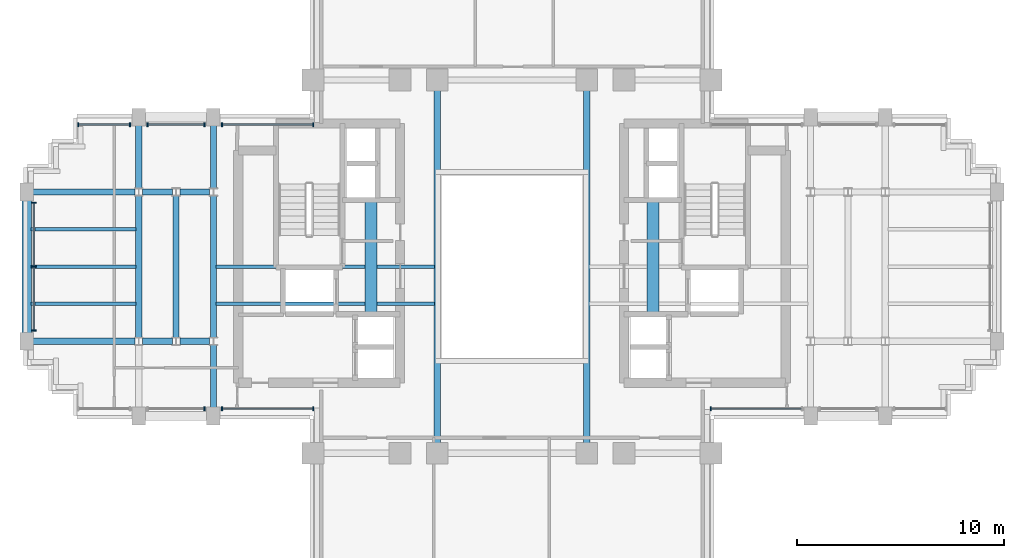
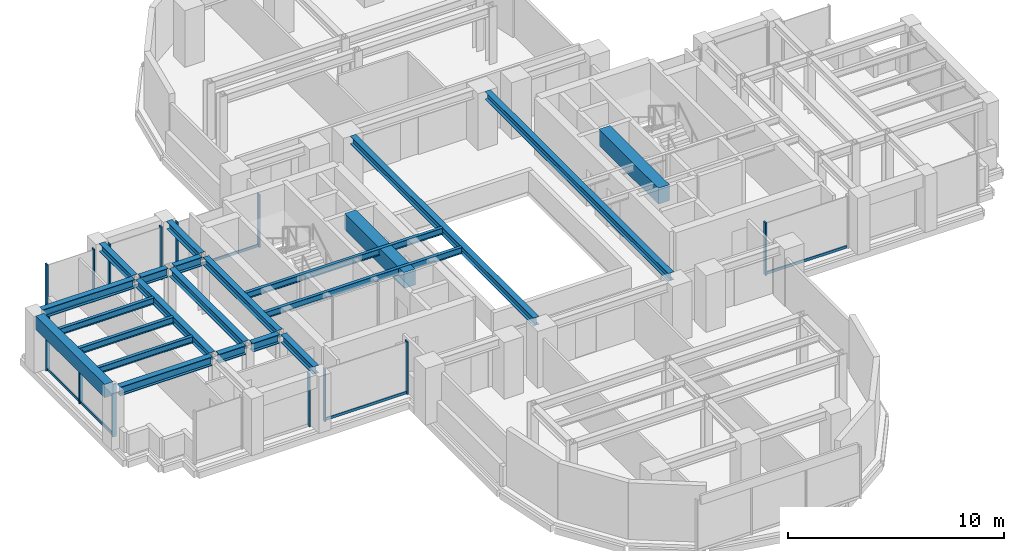
# One storey, part 4 of 13: 22 beams, 20 members, 7 elements without a shape of their own.
"""IFC4 building model written with IfcOpenShell, lengths in metres."""

from ifc_helpers import new_model, si_unit, direction, frame, origin, origin_2d, place, context, subcontext, project, spatial, rectangle, i_section, extrude, source, transform, mapped, material, material_profile, profile_set, type_object, element, aggregate, save


model = new_model("IFC4")

# Units and contexts
model_context = context("Model", 3, precision=1e-05, world=origin(), true_north=direction((0.0, 1.0)))
body_context = subcontext(model_context, "Body", "Model", "MODEL_VIEW")
ifc_project = project(units=[si_unit("LENGTHUNIT", "METRE"), si_unit("AREAUNIT", "SQUARE_METRE"), si_unit("VOLUMEUNIT", "CUBIC_METRE"), si_unit("PLANEANGLEUNIT", "RADIAN"), si_unit("MASSUNIT", "GRAM", prefix="KILO")], contexts=[model_context])

# Site, building, storey
site_placement = place(None, origin())
site = spatial("IfcSite", under=ifc_project, at=site_placement, CompositionType="ELEMENT")
building_placement = place(site_placement, origin())
building = spatial("IfcBuilding", under=site, at=building_placement, Name="Keilestroom Media Tower", CompositionType="ELEMENT")
storey_placement = place(building_placement, frame((0.0, 0.0, 144.800048828125)))
storey = spatial("IfcBuildingStorey", under=building, at=storey_placement, Name="L39", CompositionType="ELEMENT", Elevation=144.800048828125)

# Beams
ifc_material_1 = material(Name="Concrete C70/85", Category="concrete")
ifc_material_profile_1 = material_profile(ifc_material_1, rectangle(XDim=0.60009765625, YDim=0.89990234375, at=origin_2d()), Name="RC 600x900")
ifc_profile_set_1 = profile_set([ifc_material_profile_1], Name="Concrete C70/85")
beam_type_1 = type_object("IfcBeamType", Name="Core-Coupling-Lintel-Beam-RC-600x900", PredefinedType="LINTEL", material=ifc_profile_set_1)
shared_shape_1 = source(origin(), body_context, "Body", "SweptSolid", [
    extrude(rectangle(XDim=0.60009765625, YDim=0.89990234375, at=origin_2d()), origin(), (0.0, 0.0, 1.0), 5.52001953125),
])
for number, where, z_axis, x_axis, name in (
    (1, (-6.800048828125, -2.300048828125, 2.75), (0.0, 1.0, 0.0), (-1.0, 0.0, 0.0), "L39 Beam CLB-1 CLB-L39-W"),
    (2, (6.800048828125, -2.300048828125, 2.75), (0.0, 1.0, 0.0), (-1.0, 0.0, 0.0), "L39 Beam CLB-1 CLB-L39-E"),
):
    element("IfcBeam", number, at=place(storey_placement, frame(where, z_axis=z_axis, x_axis=x_axis)), inside=storey, type_object=beam_type_1, Name=name, PredefinedType="LINTEL", context=body_context, shape_type="MappedRepresentation", body=[
        mapped(shared_shape_1, transform((0.0, 0.0, 0.0), x_axis=(1.0, 0.0, 0.0), y_axis=(0.0, 1.0, 0.0), z_axis=(0.0, 0.0, 1.0), scale=1.0)),
    ])
ifc_material_2 = material(Name="Steel S355", Category="steel")
ifc_material_profile_2 = material_profile(ifc_material_2, i_section(OverallWidth=0.169921875, OverallDepth=0.360107421875, WebThickness=0.008056640625, FlangeThickness=0.0126953125, at=origin_2d()), Name="IPE 360")
ifc_profile_set_2 = profile_set([ifc_material_profile_2], Name="Steel S355")
beam_type_2 = type_object("IfcBeamType", Name="Secondary-Floor-Joist-IPE-360", PredefinedType="JOIST", material=ifc_profile_set_2)
shared_shape_2 = source(origin(), body_context, "Body", "SweptSolid", [
    extrude(i_section(OverallWidth=0.169921875, OverallDepth=0.360107421875, WebThickness=0.008056640625, FlangeThickness=0.0126953125, at=origin_2d()), origin(), (0.0, 0.0, 1.0), 10.5400390625),
])
for number, where, z_axis, x_axis, name in (
    (3, (-14.27001953125, -1.800048828125, 3.02001953125), (1.0, 0.0, 0.0), (0.0, 1.0, 0.0), "L39 Beam BJ-5 JST-L39-072"),
    (4, (-14.27001953125, 0.0, 3.02001953125), (1.0, 0.0, 0.0), (0.0, 1.0, 0.0), "L39 Beam BJ-5 JST-L39-077"),
):
    element("IfcBeam", number, at=place(storey_placement, frame(where, z_axis=z_axis, x_axis=x_axis)), inside=storey, type_object=beam_type_2, Name=name, PredefinedType="JOIST", context=body_context, shape_type="MappedRepresentation", body=[
        mapped(shared_shape_2, transform((0.0, 0.0, 0.0), x_axis=(1.0, 0.0, 0.0), y_axis=(0.0, 1.0, 0.0), z_axis=(0.0, 0.0, 1.0), scale=1.0)),
    ])
ifc_material_profile_3 = material_profile(ifc_material_2, i_section(OverallWidth=0.300048828125, OverallDepth=0.5, WebThickness=0.012451171875, FlangeThickness=0.028076171875, at=origin_2d()), Name="HEB 500")
ifc_profile_set_3 = profile_set([ifc_material_profile_3], Name="Steel S355")
beam_type_3 = type_object("IfcBeamType", Name="Primary-Structural-Girder-HEB-500", PredefinedType="BEAM", material=ifc_profile_set_3)
shared_shape_3 = source(origin(), body_context, "Body", "SweptSolid", [
    extrude(i_section(OverallWidth=0.300048828125, OverallDepth=0.5, WebThickness=0.012451171875, FlangeThickness=0.028076171875, at=origin_2d()), origin(), (0.0, 0.0, 1.0), 4.91455078125),
])
for number, where, z_axis, x_axis, name in (
    (5, (-23.094970703125, -3.60009765625, 2.949951171875), (1.0, 0.0, 0.0), (0.0, 1.0, 0.0), "L39 Beam BG-6 BM-L39-EW-014"),
    (6, (-23.094970703125, 3.60009765625, 2.949951171875), (1.0, 0.0, 0.0), (0.0, 1.0, 0.0), "L39 Beam BG-6 BM-L39-EW-020"),
):
    element("IfcBeam", number, at=place(storey_placement, frame(where, z_axis=z_axis, x_axis=x_axis)), inside=storey, type_object=beam_type_3, Name=name, PredefinedType="BEAM", context=body_context, shape_type="MappedRepresentation", body=[
        mapped(shared_shape_3, transform((0.0, 0.0, 0.0), x_axis=(1.0, 0.0, 0.0), y_axis=(0.0, 1.0, 0.0), z_axis=(0.0, 0.0, 1.0), scale=1.0)),
    ])
shared_shape_4 = source(origin(), body_context, "Body", "SweptSolid", [
    extrude(i_section(OverallWidth=0.300048828125, OverallDepth=0.5, WebThickness=0.012451171875, FlangeThickness=0.028076171875, at=origin_2d()), origin(), (0.0, 0.0, 1.0), 1.43896484375),
])
for number, where, z_axis, x_axis, name in (
    (7, (-17.819580078125, -3.60009765625, 2.949951171875), (1.0, 0.0, 0.0), (0.0, 1.0, 0.0), "L39 Beam BG-6 BM-L39-EW-015"),
    (8, (-16.01953125, -3.60009765625, 2.949951171875), (1.0, 0.0, 0.0), (0.0, 1.0, 0.0), "L39 Beam BG-6 BM-L39-EW-016"),
    (9, (-17.819580078125, 3.60009765625, 2.949951171875), (1.0, 0.0, 0.0), (0.0, 1.0, 0.0), "L39 Beam BG-6 BM-L39-EW-021"),
    (10, (-16.01953125, 3.60009765625, 2.949951171875), (1.0, 0.0, 0.0), (0.0, 1.0, 0.0), "L39 Beam BG-6 BM-L39-EW-022"),
):
    element("IfcBeam", number, at=place(storey_placement, frame(where, z_axis=z_axis, x_axis=x_axis)), inside=storey, type_object=beam_type_3, Name=name, PredefinedType="BEAM", context=body_context, shape_type="MappedRepresentation", body=[
        mapped(shared_shape_4, transform((0.0, 0.0, 0.0), x_axis=(1.0, 0.0, 0.0), y_axis=(0.0, 1.0, 0.0), z_axis=(0.0, 0.0, 1.0), scale=1.0)),
    ])
ifc_material_3 = material(Name="Precast concrete C40/50", Category="concrete")
ifc_material_profile_4 = material_profile(ifc_material_3, rectangle(XDim=0.449951171875, YDim=0.75, at=origin_2d()), Name="PC 450x750")
ifc_profile_set_4 = profile_set([ifc_material_profile_4], Name="Precast concrete C40/50")
beam_type_4 = type_object("IfcBeamType", Name="Perimeter-Spandrel-Beam-PC-450x750", PredefinedType="SPANDREL", material=ifc_profile_set_4)
shared_shape_5 = source(origin(), body_context, "Body", "SweptSolid", [
    extrude(rectangle(XDim=0.449951171875, YDim=0.75, at=origin_2d()), origin(), (0.0, 0.0, 1.0), 6.39013671875),
])
beam_placement = place(storey_placement, frame((-23.39990234375, -3.195068359375, 2.824951171875), z_axis=(0.0, 1.0, 0.0), x_axis=(-1.0, 0.0, 0.0)))
element("IfcBeam", 11, at=beam_placement, inside=storey, type_object=beam_type_4, Name="L39 Beam SPB-1 BM-L39-NS-039", PredefinedType="SPANDREL", context=body_context, shape_type="MappedRepresentation", body=[
    mapped(shared_shape_5, transform((0.0, 0.0, 0.0), x_axis=(1.0, 0.0, 0.0), y_axis=(0.0, 1.0, 0.0), z_axis=(0.0, 0.0, 1.0), scale=1.0)),
])
shared_shape_6 = source(origin(), body_context, "Body", "SweptSolid", [
    extrude(i_section(OverallWidth=0.169921875, OverallDepth=0.360107421875, WebThickness=0.008056640625, FlangeThickness=0.0126953125, at=origin_2d()), origin(), (0.0, 0.0, 1.0), 5.065185546875),
])
for number, where, z_axis, x_axis, name in (
    (12, (-23.195068359375, -1.800048828125, 3.02001953125), (1.0, 0.0, 0.0), (0.0, 1.0, 0.0), "L39 Beam BJ-5 JST-L39-071"),
    (13, (-23.195068359375, 0.0, 3.02001953125), (1.0, 0.0, 0.0), (0.0, 1.0, 0.0), "L39 Beam BJ-5 JST-L39-076"),
    (14, (-23.195068359375, 1.800048828125, 3.02001953125), (1.0, 0.0, 0.0), (0.0, 1.0, 0.0), "L39 Beam BJ-5 JST-L39-081"),
):
    element("IfcBeam", number, at=place(storey_placement, frame(where, z_axis=z_axis, x_axis=x_axis)), inside=storey, type_object=beam_type_2, Name=name, PredefinedType="JOIST", context=body_context, shape_type="MappedRepresentation", body=[
        mapped(shared_shape_6, transform((0.0, 0.0, 0.0), x_axis=(1.0, 0.0, 0.0), y_axis=(0.0, 1.0, 0.0), z_axis=(0.0, 0.0, 1.0), scale=1.0)),
    ])
ifc_material_profile_5 = material_profile(ifc_material_2, i_section(OverallWidth=0.300048828125, OverallDepth=0.43994140625, WebThickness=0.011474609375, FlangeThickness=0.02099609375, at=origin_2d()), Name="HEA 450")
ifc_profile_set_5 = profile_set([ifc_material_profile_5], Name="Steel S355")
beam_type_5 = type_object("IfcBeamType", Name="Primary-Structural-Girder-HEA-450", PredefinedType="BEAM", material=ifc_profile_set_5)
shared_shape_7 = source(origin(), body_context, "Body", "SweptSolid", [
    extrude(i_section(OverallWidth=0.300048828125, OverallDepth=0.43994140625, WebThickness=0.011474609375, FlangeThickness=0.02099609375, at=origin_2d()), origin(), (0.0, 0.0, 1.0), 3.015380859375),
])
for number, where, z_axis, x_axis, name in (
    (15, (-18.0, 3.779541015625, 2.97998046875), (0.0, 1.0, 0.0), (-1.0, 0.0, 0.0), "L39 Beam BG-11 BM-L39-NS-042"),
    (16, (-14.39990234375, -6.794921875, 2.97998046875), (0.0, 1.0, 0.0), (-1.0, 0.0, 0.0), "L39 Beam BG-11 BM-L39-NS-044"),
    (17, (-14.39990234375, 3.779541015625, 2.97998046875), (0.0, 1.0, 0.0), (-1.0, 0.0, 0.0), "L39 Beam BG-11 BM-L39-NS-046"),
):
    element("IfcBeam", number, at=place(storey_placement, frame(where, z_axis=z_axis, x_axis=x_axis)), inside=storey, type_object=beam_type_5, Name=name, PredefinedType="BEAM", context=body_context, shape_type="MappedRepresentation", body=[
        mapped(shared_shape_7, transform((0.0, 0.0, 0.0), x_axis=(1.0, 0.0, 0.0), y_axis=(0.0, 1.0, 0.0), z_axis=(0.0, 0.0, 1.0), scale=1.0)),
    ])
shared_shape_8 = source(origin(), body_context, "Body", "SweptSolid", [
    extrude(i_section(OverallWidth=0.300048828125, OverallDepth=0.43994140625, WebThickness=0.011474609375, FlangeThickness=0.02099609375, at=origin_2d()), origin(), (0.0, 0.0, 1.0), 6.8408203125),
])
for number, where, z_axis, x_axis, name in (
    (18, (-18.0, -3.42041015625, 2.97998046875), (0.0, 1.0, 0.0), (-1.0, 0.0, 0.0), "L39 Beam BG-11 BM-L39-NS-041"),
    (19, (-16.199951171875, -3.42041015625, 2.97998046875), (0.0, 1.0, 0.0), (-1.0, 0.0, 0.0), "L39 Beam BG-11 BM-L39-NS-043"),
    (20, (-14.39990234375, -3.42041015625, 2.97998046875), (0.0, 1.0, 0.0), (-1.0, 0.0, 0.0), "L39 Beam BG-11 BM-L39-NS-045"),
):
    element("IfcBeam", number, at=place(storey_placement, frame(where, z_axis=z_axis, x_axis=x_axis)), inside=storey, type_object=beam_type_5, Name=name, PredefinedType="BEAM", context=body_context, shape_type="MappedRepresentation", body=[
        mapped(shared_shape_8, transform((0.0, 0.0, 0.0), x_axis=(1.0, 0.0, 0.0), y_axis=(0.0, 1.0, 0.0), z_axis=(0.0, 0.0, 1.0), scale=1.0)),
    ])
shared_shape_9 = source(origin(), body_context, "Body", "SweptSolid", [
    extrude(i_section(OverallWidth=0.300048828125, OverallDepth=0.43994140625, WebThickness=0.011474609375, FlangeThickness=0.02099609375, at=origin_2d()), origin(), (0.0, 0.0, 1.0), 16.990234375),
])
for number, where, z_axis, x_axis, name in (
    (21, (-3.60009765625, -8.4951171875, 2.97998046875), (0.0, 1.0, 0.0), (-1.0, 0.0, 0.0), "L39 Beam BG-11 BM-L39-NS-051"),
    (22, (3.60009765625, -8.4951171875, 2.97998046875), (0.0, 1.0, 0.0), (-1.0, 0.0, 0.0), "L39 Beam BG-11 BM-L39-NS-056"),
):
    element("IfcBeam", number, at=place(storey_placement, frame(where, z_axis=z_axis, x_axis=x_axis)), inside=storey, type_object=beam_type_5, Name=name, PredefinedType="BEAM", context=body_context, shape_type="MappedRepresentation", body=[
        mapped(shared_shape_9, transform((0.0, 0.0, 0.0), x_axis=(1.0, 0.0, 0.0), y_axis=(0.0, 1.0, 0.0), z_axis=(0.0, 0.0, 1.0), scale=1.0)),
    ])

# Curtain wall, members
ifc_material_4 = material(Name="Anodised Aluminium Alloy", Category="aluminium")
curtain_wall_type = type_object("IfcCurtainWallType", Name="Unitised-Curtain-Wall-CW-2", PredefinedType="NOTDEFINED", material=ifc_material_4)
curtain_wall_1_placement = place(storey_placement, origin())
curtain_wall_1 = element("IfcCurtainWall", 23, at=curtain_wall_1_placement, inside=storey, type_object=curtain_wall_type, Name="L39 Curtain Wall CW-2 CW-L39-W-1", PredefinedType="NOTDEFINED")
ifc_material_profile_6 = material_profile(ifc_material_4, rectangle(XDim=0.070068359375, YDim=0.199951171875, at=origin_2d()), Name="ALU MULLION 70x200")
ifc_profile_set_6 = profile_set([ifc_material_profile_6], Name="Anodised Aluminium Alloy")
member_type_1 = type_object("IfcMemberType", Name="Curtain-Wall-Mullion-CW-2", PredefinedType="MULLION", material=ifc_profile_set_6)
shared_shape_10 = source(origin(), body_context, "Body", "SweptSolid", [
    extrude(rectangle(XDim=0.070068359375, YDim=0.199951171875, at=origin_2d()), origin(), (0.0, 0.0, 1.0), 2.97998046875),
])
member_1_placement = place(storey_placement, frame((-23.050048828125, -3.080078125, 0.0), z_axis=(0.0, 0.0, 1.0), x_axis=(0.0, 1.0, 0.0)))
member_1 = element("IfcMember", 24, at=member_1_placement, type_object=member_type_1, Name="CW-2 Mullion 00", PredefinedType="MULLION", context=body_context, shape_type="MappedRepresentation", body=[
    mapped(shared_shape_10, transform((0.0, 0.0, 0.0), x_axis=(1.0, 0.0, 0.0), y_axis=(0.0, 1.0, 0.0), z_axis=(0.0, 0.0, 1.0), scale=1.0)),
])
member_2_placement = place(storey_placement, frame((-23.050048828125, 0.0, 0.0), z_axis=(0.0, 0.0, 1.0), x_axis=(0.0, 1.0, 0.0)))
member_2 = element("IfcMember", 25, at=member_2_placement, type_object=member_type_1, Name="CW-2 Mullion 01", PredefinedType="MULLION", context=body_context, shape_type="MappedRepresentation", body=[
    mapped(shared_shape_10, transform((0.0, 0.0, 0.0), x_axis=(1.0, 0.0, 0.0), y_axis=(0.0, 1.0, 0.0), z_axis=(0.0, 0.0, 1.0), scale=1.0)),
])
member_3_placement = place(storey_placement, frame((-23.050048828125, 3.080078125, 0.0), z_axis=(0.0, 0.0, 1.0), x_axis=(0.0, 1.0, 0.0)))
member_3 = element("IfcMember", 26, at=member_3_placement, type_object=member_type_1, Name="CW-2 Mullion 02", PredefinedType="MULLION", context=body_context, shape_type="MappedRepresentation", body=[
    mapped(shared_shape_10, transform((0.0, 0.0, 0.0), x_axis=(1.0, 0.0, 0.0), y_axis=(0.0, 1.0, 0.0), z_axis=(0.0, 0.0, 1.0), scale=1.0)),
])

curtain_wall_2_placement = place(storey_placement, origin())
curtain_wall_2 = element("IfcCurtainWall", 27, at=curtain_wall_2_placement, inside=storey, type_object=curtain_wall_type, Name="L39 Curtain Wall CW-2 CW-L39-NW-1", PredefinedType="NOTDEFINED")
member_4_placement = place(storey_placement, frame((-20.9150390625, 6.85009765625, 0.0), z_axis=(0.0, 0.0, 1.0), x_axis=(1.0, 0.0, 0.0)))
member_4 = element("IfcMember", 28, at=member_4_placement, type_object=member_type_1, Name="CW-2 Mullion 00", PredefinedType="MULLION", context=body_context, shape_type="MappedRepresentation", body=[
    mapped(shared_shape_10, transform((0.0, 0.0, 0.0), x_axis=(1.0, 0.0, 0.0), y_axis=(0.0, 1.0, 0.0), z_axis=(0.0, 0.0, 1.0), scale=1.0)),
])
member_5_placement = place(storey_placement, frame((-18.419921875, 6.85009765625, 0.0), z_axis=(0.0, 0.0, 1.0), x_axis=(1.0, 0.0, 0.0)))
member_5 = element("IfcMember", 29, at=member_5_placement, type_object=member_type_1, Name="CW-2 Mullion 01", PredefinedType="MULLION", context=body_context, shape_type="MappedRepresentation", body=[
    mapped(shared_shape_10, transform((0.0, 0.0, 0.0), x_axis=(1.0, 0.0, 0.0), y_axis=(0.0, 1.0, 0.0), z_axis=(0.0, 0.0, 1.0), scale=1.0)),
])

curtain_wall_3_placement = place(storey_placement, origin())
curtain_wall_3 = element("IfcCurtainWall", 30, at=curtain_wall_3_placement, inside=storey, type_object=curtain_wall_type, Name="L39 Curtain Wall CW-2 CW-L39-NW-2", PredefinedType="NOTDEFINED")
member_6_placement = place(storey_placement, frame((-17.580078125, 6.85009765625, 0.0), z_axis=(0.0, 0.0, 1.0), x_axis=(1.0, 0.0, 0.0)))
member_6 = element("IfcMember", 31, at=member_6_placement, type_object=member_type_1, Name="CW-2 Mullion 00", PredefinedType="MULLION", context=body_context, shape_type="MappedRepresentation", body=[
    mapped(shared_shape_10, transform((0.0, 0.0, 0.0), x_axis=(1.0, 0.0, 0.0), y_axis=(0.0, 1.0, 0.0), z_axis=(0.0, 0.0, 1.0), scale=1.0)),
])
member_7_placement = place(storey_placement, frame((-14.820068359375, 6.85009765625, 0.0), z_axis=(0.0, 0.0, 1.0), x_axis=(1.0, 0.0, 0.0)))
member_7 = element("IfcMember", 32, at=member_7_placement, type_object=member_type_1, Name="CW-2 Mullion 01", PredefinedType="MULLION", context=body_context, shape_type="MappedRepresentation", body=[
    mapped(shared_shape_10, transform((0.0, 0.0, 0.0), x_axis=(1.0, 0.0, 0.0), y_axis=(0.0, 1.0, 0.0), z_axis=(0.0, 0.0, 1.0), scale=1.0)),
])

curtain_wall_4_placement = place(storey_placement, origin())
curtain_wall_4 = element("IfcCurtainWall", 33, at=curtain_wall_4_placement, inside=storey, type_object=curtain_wall_type, Name="L39 Curtain Wall CW-2 CW-L39-NW-3", PredefinedType="NOTDEFINED")
member_8_placement = place(storey_placement, frame((-13.97998046875, 6.85009765625, 0.0), z_axis=(0.0, 0.0, 1.0), x_axis=(1.0, 0.0, 0.0)))
member_8 = element("IfcMember", 34, at=member_8_placement, type_object=member_type_1, Name="CW-2 Mullion 00", PredefinedType="MULLION", context=body_context, shape_type="MappedRepresentation", body=[
    mapped(shared_shape_10, transform((0.0, 0.0, 0.0), x_axis=(1.0, 0.0, 0.0), y_axis=(0.0, 1.0, 0.0), z_axis=(0.0, 0.0, 1.0), scale=1.0)),
])
member_9_placement = place(storey_placement, frame((-9.5849609375, 6.85009765625, 0.0), z_axis=(0.0, 0.0, 1.0), x_axis=(1.0, 0.0, 0.0)))
member_9 = element("IfcMember", 35, at=member_9_placement, type_object=member_type_1, Name="CW-2 Mullion 01", PredefinedType="MULLION", context=body_context, shape_type="MappedRepresentation", body=[
    mapped(shared_shape_10, transform((0.0, 0.0, 0.0), x_axis=(1.0, 0.0, 0.0), y_axis=(0.0, 1.0, 0.0), z_axis=(0.0, 0.0, 1.0), scale=1.0)),
])

# Curtain wall, member
curtain_wall_5_placement = place(storey_placement, origin())
curtain_wall_5 = element("IfcCurtainWall", 36, at=curtain_wall_5_placement, inside=storey, type_object=curtain_wall_type, Name="L39 Curtain Wall CW-2 CW-L39-SW-2", PredefinedType="NOTDEFINED")
member_10_placement = place(storey_placement, frame((-14.820068359375, -6.85009765625, 0.0), z_axis=(0.0, 0.0, 1.0), x_axis=(1.0, 0.0, 0.0)))
member_10 = element("IfcMember", 37, at=member_10_placement, type_object=member_type_1, Name="CW-2 Mullion 01", PredefinedType="MULLION", context=body_context, shape_type="MappedRepresentation", body=[
    mapped(shared_shape_10, transform((0.0, 0.0, 0.0), x_axis=(1.0, 0.0, 0.0), y_axis=(0.0, 1.0, 0.0), z_axis=(0.0, 0.0, 1.0), scale=1.0)),
])
aggregate(curtain_wall_5, [member_10])

# Curtain wall, members
curtain_wall_6_placement = place(storey_placement, origin())
curtain_wall_6 = element("IfcCurtainWall", 38, at=curtain_wall_6_placement, inside=storey, type_object=curtain_wall_type, Name="L39 Curtain Wall CW-2 CW-L39-SW-3", PredefinedType="NOTDEFINED")
member_11_placement = place(storey_placement, frame((-13.97998046875, -6.85009765625, 0.0), z_axis=(0.0, 0.0, 1.0), x_axis=(1.0, 0.0, 0.0)))
member_11 = element("IfcMember", 39, at=member_11_placement, type_object=member_type_1, Name="CW-2 Mullion 00", PredefinedType="MULLION", context=body_context, shape_type="MappedRepresentation", body=[
    mapped(shared_shape_10, transform((0.0, 0.0, 0.0), x_axis=(1.0, 0.0, 0.0), y_axis=(0.0, 1.0, 0.0), z_axis=(0.0, 0.0, 1.0), scale=1.0)),
])
member_12_placement = place(storey_placement, frame((-9.5849609375, -6.85009765625, 0.0), z_axis=(0.0, 0.0, 1.0), x_axis=(1.0, 0.0, 0.0)))
member_12 = element("IfcMember", 40, at=member_12_placement, type_object=member_type_1, Name="CW-2 Mullion 01", PredefinedType="MULLION", context=body_context, shape_type="MappedRepresentation", body=[
    mapped(shared_shape_10, transform((0.0, 0.0, 0.0), x_axis=(1.0, 0.0, 0.0), y_axis=(0.0, 1.0, 0.0), z_axis=(0.0, 0.0, 1.0), scale=1.0)),
])

# Curtain wall, member
curtain_wall_7_placement = place(storey_placement, origin())
curtain_wall_7 = element("IfcCurtainWall", 41, at=curtain_wall_7_placement, inside=storey, type_object=curtain_wall_type, Name="L39 Curtain Wall CW-2 CW-L39-SE-1", PredefinedType="NOTDEFINED")
member_13_placement = place(storey_placement, frame((9.5849609375, -6.85009765625, 0.0), z_axis=(0.0, 0.0, 1.0), x_axis=(1.0, 0.0, 0.0)))
member_13 = element("IfcMember", 42, at=member_13_placement, type_object=member_type_1, Name="CW-2 Mullion 00", PredefinedType="MULLION", context=body_context, shape_type="MappedRepresentation", body=[
    mapped(shared_shape_10, transform((0.0, 0.0, 0.0), x_axis=(1.0, 0.0, 0.0), y_axis=(0.0, 1.0, 0.0), z_axis=(0.0, 0.0, 1.0), scale=1.0)),
])

# Member
ifc_material_profile_7 = material_profile(ifc_material_4, rectangle(XDim=0.06494140625, YDim=0.14990234375, at=origin_2d()), Name="ALU TRANSOM 65x150")
ifc_profile_set_7 = profile_set([ifc_material_profile_7], Name="Anodised Aluminium Alloy")
member_type_2 = type_object("IfcMemberType", Name="Curtain-Wall-Transom-CW-2", PredefinedType="USERDEFINED", material=ifc_profile_set_7)
shared_shape_11 = source(origin(), body_context, "Body", "SweptSolid", [
    extrude(rectangle(XDim=0.06494140625, YDim=0.14990234375, at=origin_2d()), origin(), (0.0, 0.0, 1.0), 2.42919921875),
])
member_14_placement = place(storey_placement, frame((-20.882080078125, 6.85009765625, 0.074951171875), z_axis=(1.0, 0.0, 0.0), x_axis=(0.0, 1.0, 0.0)))
member_14 = element("IfcMember", 43, at=member_14_placement, type_object=member_type_2, Name="CW-2 Transom 00.1", ObjectType="TRANSOM", PredefinedType="USERDEFINED", context=body_context, shape_type="MappedRepresentation", body=[
    mapped(shared_shape_11, transform((0.0, 0.0, 0.0), x_axis=(1.0, 0.0, 0.0), y_axis=(0.0, 1.0, 0.0), z_axis=(0.0, 0.0, 1.0), scale=1.0)),
])

aggregate(curtain_wall_2, [member_4, member_5, member_14])

shared_shape_12 = source(origin(), body_context, "Body", "SweptSolid", [
    extrude(rectangle(XDim=0.06494140625, YDim=0.14990234375, at=origin_2d()), origin(), (0.0, 0.0, 1.0), 2.694091796875),
])
member_15_placement = place(storey_placement, frame((-17.547119140625, 6.85009765625, 0.074951171875), z_axis=(1.0, 0.0, 0.0), x_axis=(0.0, 1.0, 0.0)))
member_15 = element("IfcMember", 44, at=member_15_placement, type_object=member_type_2, Name="CW-2 Transom 00.1", ObjectType="TRANSOM", PredefinedType="USERDEFINED", context=body_context, shape_type="MappedRepresentation", body=[
    mapped(shared_shape_12, transform((0.0, 0.0, 0.0), x_axis=(1.0, 0.0, 0.0), y_axis=(0.0, 1.0, 0.0), z_axis=(0.0, 0.0, 1.0), scale=1.0)),
])

aggregate(curtain_wall_3, [member_6, member_7, member_15])

shared_shape_13 = source(origin(), body_context, "Body", "SweptSolid", [
    extrude(rectangle(XDim=0.06494140625, YDim=0.14990234375, at=origin_2d()), origin(), (0.0, 0.0, 1.0), 4.3291015625),
])
member_16_placement = place(storey_placement, frame((-13.947021484375, 6.85009765625, 0.074951171875), z_axis=(1.0, 0.0, 0.0), x_axis=(0.0, 1.0, 0.0)))
member_16 = element("IfcMember", 45, at=member_16_placement, type_object=member_type_2, Name="CW-2 Transom 00.1", ObjectType="TRANSOM", PredefinedType="USERDEFINED", context=body_context, shape_type="MappedRepresentation", body=[
    mapped(shared_shape_13, transform((0.0, 0.0, 0.0), x_axis=(1.0, 0.0, 0.0), y_axis=(0.0, 1.0, 0.0), z_axis=(0.0, 0.0, 1.0), scale=1.0)),
])

aggregate(curtain_wall_4, [member_8, member_9, member_16])

member_17_placement = place(storey_placement, frame((-13.947021484375, -6.85009765625, 0.074951171875), z_axis=(1.0, 0.0, 0.0), x_axis=(0.0, 1.0, 0.0)))
member_17 = element("IfcMember", 46, at=member_17_placement, type_object=member_type_2, Name="CW-2 Transom 00.1", ObjectType="TRANSOM", PredefinedType="USERDEFINED", context=body_context, shape_type="MappedRepresentation", body=[
    mapped(shared_shape_13, transform((0.0, 0.0, 0.0), x_axis=(1.0, 0.0, 0.0), y_axis=(0.0, 1.0, 0.0), z_axis=(0.0, 0.0, 1.0), scale=1.0)),
])

aggregate(curtain_wall_6, [member_11, member_12, member_17])

member_18_placement = place(storey_placement, frame((9.617919921875, -6.85009765625, 0.074951171875), z_axis=(1.0, 0.0, 0.0), x_axis=(0.0, 1.0, 0.0)))
member_18 = element("IfcMember", 47, at=member_18_placement, type_object=member_type_2, Name="CW-2 Transom 00.1", ObjectType="TRANSOM", PredefinedType="USERDEFINED", context=body_context, shape_type="MappedRepresentation", body=[
    mapped(shared_shape_13, transform((0.0, 0.0, 0.0), x_axis=(1.0, 0.0, 0.0), y_axis=(0.0, 1.0, 0.0), z_axis=(0.0, 0.0, 1.0), scale=1.0)),
])

aggregate(curtain_wall_7, [member_13, member_18])

shared_shape_14 = source(origin(), body_context, "Body", "SweptSolid", [
    extrude(rectangle(XDim=0.06494140625, YDim=0.14990234375, at=origin_2d()), origin(), (0.0, 0.0, 1.0), 3.01416015625),
])
member_19_placement = place(storey_placement, frame((-23.050048828125, -3.047119140625, 0.074951171875), z_axis=(0.0, 1.0, 0.0), x_axis=(-1.0, 0.0, 0.0)))
member_19 = element("IfcMember", 48, at=member_19_placement, type_object=member_type_2, Name="CW-2 Transom 00.1", ObjectType="TRANSOM", PredefinedType="USERDEFINED", context=body_context, shape_type="MappedRepresentation", body=[
    mapped(shared_shape_14, transform((0.0, 0.0, 0.0), x_axis=(1.0, 0.0, 0.0), y_axis=(0.0, 1.0, 0.0), z_axis=(0.0, 0.0, 1.0), scale=1.0)),
])

member_20_placement = place(storey_placement, frame((-23.050048828125, 0.032958984375, 0.074951171875), z_axis=(0.0, 1.0, 0.0), x_axis=(-1.0, 0.0, 0.0)))
member_20 = element("IfcMember", 49, at=member_20_placement, type_object=member_type_2, Name="CW-2 Transom 01.1", ObjectType="TRANSOM", PredefinedType="USERDEFINED", context=body_context, shape_type="MappedRepresentation", body=[
    mapped(shared_shape_14, transform((0.0, 0.0, 0.0), x_axis=(1.0, 0.0, 0.0), y_axis=(0.0, 1.0, 0.0), z_axis=(0.0, 0.0, 1.0), scale=1.0)),
])

aggregate(curtain_wall_1, [member_1, member_2, member_3, member_19, member_20])

save(model, "model.ifc")
